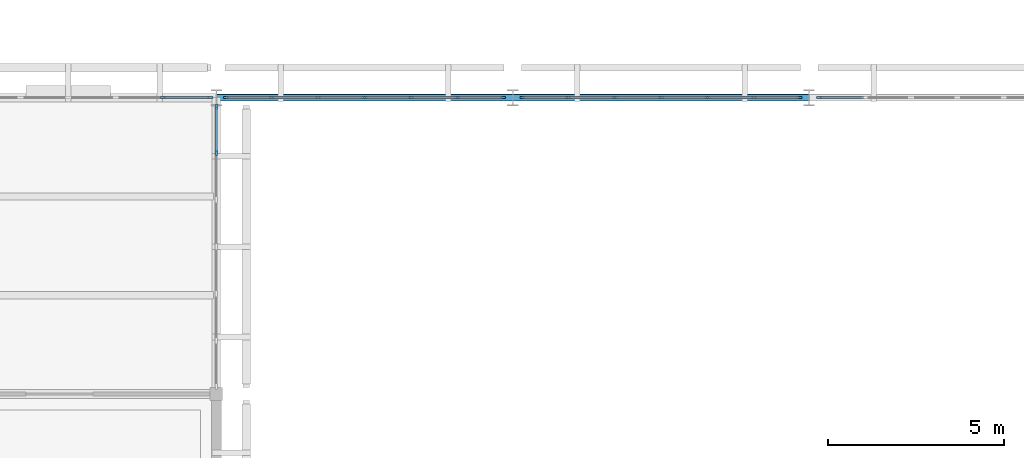
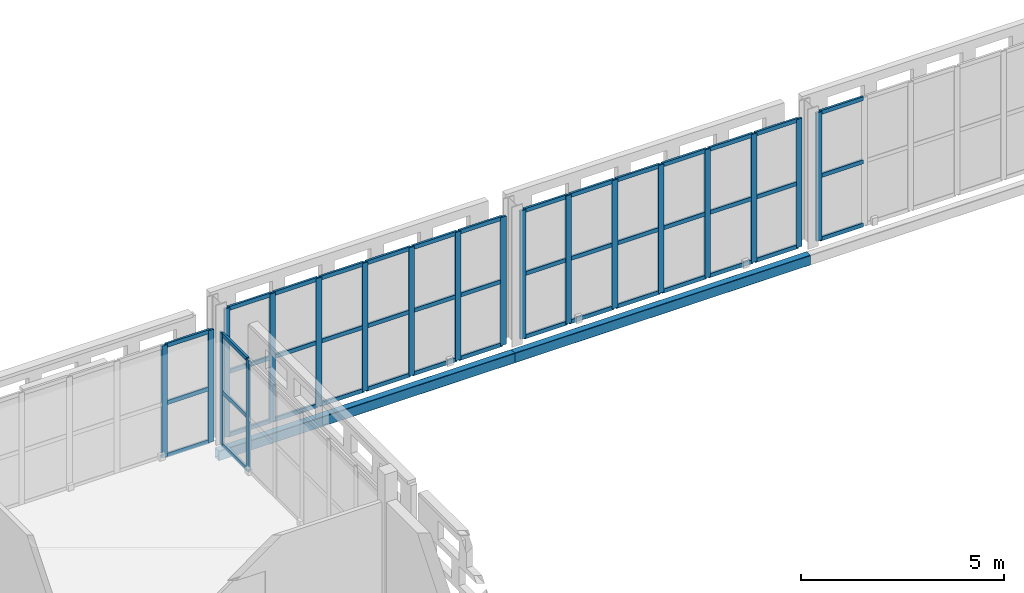
# One storey, part 59 of 140: 64 members, 2 beams, 5 elements without a shape of their own.
"""IFC4 building model written with IfcOpenShell, lengths in metres."""

from ifc_helpers import new_model, si_unit, direction, frame, origin, origin_2d, place, context, subcontext, project, spatial, rectangle, hollow_rectangle, extrude, material, layer, layer_set, material_profile, profile_set, type_object, element, aggregate, save


model = new_model("IFC4")

# Units and contexts
model_context = context("Model", 3, precision=1e-05, world=origin(), true_north=direction((0.0, 1.0)))
body_context = subcontext(model_context, "Body", "Model", "MODEL_VIEW")
ifc_project = project(units=[si_unit("LENGTHUNIT", "METRE"), si_unit("AREAUNIT", "SQUARE_METRE"), si_unit("VOLUMEUNIT", "CUBIC_METRE"), si_unit("PLANEANGLEUNIT", "RADIAN"), si_unit("MASSUNIT", "GRAM", prefix="KILO")], contexts=[model_context])

# Site, building, storey
site_placement = place(None, origin())
site = spatial("IfcSite", under=ifc_project, at=site_placement, CompositionType="ELEMENT")
building_placement = place(site_placement, origin())
building = spatial("IfcBuilding", under=site, at=building_placement, Name="Varnapada Polytechnic", CompositionType="ELEMENT")
storey_placement = place(building_placement, frame((0.0, 0.0, 13.800048828125)))
storey = spatial("IfcBuildingStorey", under=building, at=storey_placement, Name="L03", CompositionType="ELEMENT", Elevation=13.800048828125)

# Curtain wall, members
ifc_material_1 = material(Name="Double low-E laminated glass", Category="glass")
ifc_layer = layer(ifc_material_1, 0.159912109375)
ifc_layer_set = layer_set([ifc_layer], Name="Double low-E laminated glass")
curtain_wall_type = type_object("IfcCurtainWallType", Name="Curtain Wall CW-02", PredefinedType="NOTDEFINED", material=ifc_layer_set)
curtain_wall_1_placement = place(storey_placement, origin())
curtain_wall_1 = element("IfcCurtainWall", 1, at=curtain_wall_1_placement, inside=storey, type_object=curtain_wall_type, Name="L03 unitised curtain wall CW-02 (232)", PredefinedType="NOTDEFINED")
ifc_material_2 = material(Name="Anodised aluminium", Category="aluminium")
ifc_material_profile_1 = material_profile(ifc_material_2, rectangle(XDim=0.06005859375, YDim=0.159912109375, at=origin_2d()), Name="ALU M60x160")
ifc_profile_set_1 = profile_set([ifc_material_profile_1], Name="Anodised aluminium")
member_type_1 = type_object("IfcMemberType", Name="Mullion M-01", PredefinedType="MULLION", material=ifc_profile_set_1)
member_1_placement = place(storey_placement, frame((65.699951171875, 126.0, 0.0), z_axis=(0.0, 0.0, 1.0), x_axis=(0.0, 1.0, 0.0)))
member_1 = element("IfcMember", 2, at=member_1_placement, type_object=member_type_1, Name="CW-02 mullion 6", PredefinedType="MULLION", context=body_context, shape_type="SweptSolid", body=[
    extrude(rectangle(XDim=0.06005859375, YDim=0.159912109375, at=origin_2d()), origin(), (0.0, 0.0, 1.0), 3.35986328125),
])
member_2_placement = place(storey_placement, frame((67.02001953125, 126.0, 0.0), z_axis=(0.0, 0.0, 1.0), x_axis=(0.0, 1.0, 0.0)))
member_2 = element("IfcMember", 3, at=member_2_placement, type_object=member_type_1, Name="CW-02 mullion 7", PredefinedType="MULLION", context=body_context, shape_type="SweptSolid", body=[
    extrude(rectangle(XDim=0.06005859375, YDim=0.159912109375, at=origin_2d()), origin(), (0.0, 0.0, 1.0), 3.35986328125),
])

curtain_wall_2_placement = place(storey_placement, origin())
curtain_wall_2 = element("IfcCurtainWall", 4, at=curtain_wall_2_placement, inside=storey, type_object=curtain_wall_type, Name="L03 unitised curtain wall CW-02 (233)", PredefinedType="NOTDEFINED")
member_3_placement = place(storey_placement, frame((67.199951171875, 125.7451171875, 0.0), z_axis=(0.0, 0.0, 1.0), x_axis=(1.0, 0.0, 0.0)))
member_3 = element("IfcMember", 5, at=member_3_placement, type_object=member_type_1, Name="CW-02 mullion 1", PredefinedType="MULLION", context=body_context, shape_type="SweptSolid", body=[
    extrude(rectangle(XDim=0.06005859375, YDim=0.159912109375, at=origin_2d()), origin(), (0.0, 0.0, 1.0), 3.35986328125),
])
member_4_placement = place(storey_placement, frame((67.199951171875, 124.4423828125, 0.0), z_axis=(0.0, 0.0, 1.0), x_axis=(1.0, 0.0, 0.0)))
member_4 = element("IfcMember", 6, at=member_4_placement, type_object=member_type_1, Name="CW-02 mullion 2", PredefinedType="MULLION", context=body_context, shape_type="SweptSolid", body=[
    extrude(rectangle(XDim=0.06005859375, YDim=0.159912109375, at=origin_2d()), origin(), (0.0, 0.0, 1.0), 3.35986328125),
])

curtain_wall_3_placement = place(storey_placement, origin())
curtain_wall_3 = element("IfcCurtainWall", 7, at=curtain_wall_3_placement, inside=storey, type_object=curtain_wall_type, Name="L03 high-bay workshop north curtain wall 9", PredefinedType="NOTDEFINED")
member_5_placement = place(storey_placement, frame((67.47998046875, 126.0, 0.0), z_axis=(0.0, 0.0, 1.0), x_axis=(0.0, 1.0, 0.0)))
member_5 = element("IfcMember", 8, at=member_5_placement, type_object=member_type_1, Name="CW-02 mullion 1", PredefinedType="MULLION", context=body_context, shape_type="SweptSolid", body=[
    extrude(rectangle(XDim=0.06005859375, YDim=0.159912109375, at=origin_2d()), origin(), (0.0, 0.0, 1.0), 3.849853515625),
])
member_6_placement = place(storey_placement, frame((68.7666015625, 126.0, 0.0), z_axis=(0.0, 0.0, 1.0), x_axis=(0.0, 1.0, 0.0)))
member_6 = element("IfcMember", 9, at=member_6_placement, type_object=member_type_1, Name="CW-02 mullion 2", PredefinedType="MULLION", context=body_context, shape_type="SweptSolid", body=[
    extrude(rectangle(XDim=0.06005859375, YDim=0.159912109375, at=origin_2d()), origin(), (0.0, 0.0, 1.0), 3.849853515625),
])
member_7_placement = place(storey_placement, frame((70.083251953125, 126.0, 0.0), z_axis=(0.0, 0.0, 1.0), x_axis=(0.0, 1.0, 0.0)))
member_7 = element("IfcMember", 10, at=member_7_placement, type_object=member_type_1, Name="CW-02 mullion 3", PredefinedType="MULLION", context=body_context, shape_type="SweptSolid", body=[
    extrude(rectangle(XDim=0.06005859375, YDim=0.159912109375, at=origin_2d()), origin(), (0.0, 0.0, 1.0), 3.849853515625),
])
member_8_placement = place(storey_placement, frame((71.39990234375, 126.0, 0.0), z_axis=(0.0, 0.0, 1.0), x_axis=(0.0, 1.0, 0.0)))
member_8 = element("IfcMember", 11, at=member_8_placement, type_object=member_type_1, Name="CW-02 mullion 4", PredefinedType="MULLION", context=body_context, shape_type="SweptSolid", body=[
    extrude(rectangle(XDim=0.06005859375, YDim=0.159912109375, at=origin_2d()), origin(), (0.0, 0.0, 1.0), 3.849853515625),
])
member_9_placement = place(storey_placement, frame((72.716552734375, 126.0, 0.0), z_axis=(0.0, 0.0, 1.0), x_axis=(0.0, 1.0, 0.0)))
member_9 = element("IfcMember", 12, at=member_9_placement, type_object=member_type_1, Name="CW-02 mullion 5", PredefinedType="MULLION", context=body_context, shape_type="SweptSolid", body=[
    extrude(rectangle(XDim=0.06005859375, YDim=0.159912109375, at=origin_2d()), origin(), (0.0, 0.0, 1.0), 3.849853515625),
])
member_10_placement = place(storey_placement, frame((74.033447265625, 126.0, 0.0), z_axis=(0.0, 0.0, 1.0), x_axis=(0.0, 1.0, 0.0)))
member_10 = element("IfcMember", 13, at=member_10_placement, type_object=member_type_1, Name="CW-02 mullion 6", PredefinedType="MULLION", context=body_context, shape_type="SweptSolid", body=[
    extrude(rectangle(XDim=0.06005859375, YDim=0.159912109375, at=origin_2d()), origin(), (0.0, 0.0, 1.0), 3.849853515625),
])
member_11_placement = place(storey_placement, frame((75.320068359375, 126.0, 0.0), z_axis=(0.0, 0.0, 1.0), x_axis=(0.0, 1.0, 0.0)))
member_11 = element("IfcMember", 14, at=member_11_placement, type_object=member_type_1, Name="CW-02 mullion 7", PredefinedType="MULLION", context=body_context, shape_type="SweptSolid", body=[
    extrude(rectangle(XDim=0.06005859375, YDim=0.159912109375, at=origin_2d()), origin(), (0.0, 0.0, 1.0), 3.849853515625),
])

curtain_wall_4_placement = place(storey_placement, origin())
curtain_wall_4 = element("IfcCurtainWall", 15, at=curtain_wall_4_placement, inside=storey, type_object=curtain_wall_type, Name="L03 high-bay workshop north curtain wall 10", PredefinedType="NOTDEFINED")
member_12_placement = place(storey_placement, frame((75.8798828125, 126.0, 0.0), z_axis=(0.0, 0.0, 1.0), x_axis=(0.0, 1.0, 0.0)))
member_12 = element("IfcMember", 16, at=member_12_placement, type_object=member_type_1, Name="CW-02 mullion 1", PredefinedType="MULLION", context=body_context, shape_type="SweptSolid", body=[
    extrude(rectangle(XDim=0.06005859375, YDim=0.159912109375, at=origin_2d()), origin(), (0.0, 0.0, 1.0), 3.849853515625),
])
member_13_placement = place(storey_placement, frame((77.166748046875, 126.0, 0.0), z_axis=(0.0, 0.0, 1.0), x_axis=(0.0, 1.0, 0.0)))
member_13 = element("IfcMember", 17, at=member_13_placement, type_object=member_type_1, Name="CW-02 mullion 2", PredefinedType="MULLION", context=body_context, shape_type="SweptSolid", body=[
    extrude(rectangle(XDim=0.06005859375, YDim=0.159912109375, at=origin_2d()), origin(), (0.0, 0.0, 1.0), 3.849853515625),
])
member_14_placement = place(storey_placement, frame((78.4833984375, 126.0, 0.0), z_axis=(0.0, 0.0, 1.0), x_axis=(0.0, 1.0, 0.0)))
member_14 = element("IfcMember", 18, at=member_14_placement, type_object=member_type_1, Name="CW-02 mullion 3", PredefinedType="MULLION", context=body_context, shape_type="SweptSolid", body=[
    extrude(rectangle(XDim=0.06005859375, YDim=0.159912109375, at=origin_2d()), origin(), (0.0, 0.0, 1.0), 3.849853515625),
])
member_15_placement = place(storey_placement, frame((79.800048828125, 126.0, 0.0), z_axis=(0.0, 0.0, 1.0), x_axis=(0.0, 1.0, 0.0)))
member_15 = element("IfcMember", 19, at=member_15_placement, type_object=member_type_1, Name="CW-02 mullion 4", PredefinedType="MULLION", context=body_context, shape_type="SweptSolid", body=[
    extrude(rectangle(XDim=0.06005859375, YDim=0.159912109375, at=origin_2d()), origin(), (0.0, 0.0, 1.0), 3.849853515625),
])
member_16_placement = place(storey_placement, frame((81.11669921875, 126.0, 0.0), z_axis=(0.0, 0.0, 1.0), x_axis=(0.0, 1.0, 0.0)))
member_16 = element("IfcMember", 20, at=member_16_placement, type_object=member_type_1, Name="CW-02 mullion 5", PredefinedType="MULLION", context=body_context, shape_type="SweptSolid", body=[
    extrude(rectangle(XDim=0.06005859375, YDim=0.159912109375, at=origin_2d()), origin(), (0.0, 0.0, 1.0), 3.849853515625),
])
member_17_placement = place(storey_placement, frame((82.433349609375, 126.0, 0.0), z_axis=(0.0, 0.0, 1.0), x_axis=(0.0, 1.0, 0.0)))
member_17 = element("IfcMember", 21, at=member_17_placement, type_object=member_type_1, Name="CW-02 mullion 6", PredefinedType="MULLION", context=body_context, shape_type="SweptSolid", body=[
    extrude(rectangle(XDim=0.06005859375, YDim=0.159912109375, at=origin_2d()), origin(), (0.0, 0.0, 1.0), 3.849853515625),
])
member_18_placement = place(storey_placement, frame((83.719970703125, 126.0, 0.0), z_axis=(0.0, 0.0, 1.0), x_axis=(0.0, 1.0, 0.0)))
member_18 = element("IfcMember", 22, at=member_18_placement, type_object=member_type_1, Name="CW-02 mullion 7", PredefinedType="MULLION", context=body_context, shape_type="SweptSolid", body=[
    extrude(rectangle(XDim=0.06005859375, YDim=0.159912109375, at=origin_2d()), origin(), (0.0, 0.0, 1.0), 3.849853515625),
])

# Curtain wall, member
curtain_wall_5_placement = place(storey_placement, origin())
curtain_wall_5 = element("IfcCurtainWall", 23, at=curtain_wall_5_placement, inside=storey, type_object=curtain_wall_type, Name="L03 high-bay workshop north curtain wall 11", PredefinedType="NOTDEFINED")
member_19_placement = place(storey_placement, frame((84.280029296875, 126.0, 0.0), z_axis=(0.0, 0.0, 1.0), x_axis=(0.0, 1.0, 0.0)))
member_19 = element("IfcMember", 24, at=member_19_placement, type_object=member_type_1, Name="CW-02 mullion 1", PredefinedType="MULLION", context=body_context, shape_type="SweptSolid", body=[
    extrude(rectangle(XDim=0.06005859375, YDim=0.159912109375, at=origin_2d()), origin(), (0.0, 0.0, 1.0), 3.849853515625),
])

# Member
ifc_material_profile_2 = material_profile(ifc_material_2, rectangle(XDim=0.06005859375, YDim=0.1201171875, at=origin_2d()), Name="ALU T60x120")
ifc_profile_set_2 = profile_set([ifc_material_profile_2], Name="Anodised aluminium")
member_type_2 = type_object("IfcMemberType", Name="Transom T-01", PredefinedType="USERDEFINED", material=ifc_profile_set_2)
member_20_placement = place(storey_placement, frame((65.72998046875, 126.0, 0.030029296875), z_axis=(1.0, 0.0, 0.0), x_axis=(0.0, 1.0, 0.0)))
member_20 = element("IfcMember", 25, at=member_20_placement, type_object=member_type_2, Name="CW-02 transom 6.1", ObjectType="TRANSOM", PredefinedType="USERDEFINED", context=body_context, shape_type="SweptSolid", body=[
    extrude(rectangle(XDim=0.06005859375, YDim=0.1201171875, at=origin_2d()), origin(), (0.0, 0.0, 1.0), 1.260009765625),
])

member_21_placement = place(storey_placement, frame((65.72998046875, 126.0, 1.61279296875), z_axis=(1.0, 0.0, 0.0), x_axis=(0.0, 1.0, 0.0)))
member_21 = element("IfcMember", 26, at=member_21_placement, type_object=member_type_2, Name="CW-02 transom 6.2", ObjectType="TRANSOM", PredefinedType="USERDEFINED", context=body_context, shape_type="SweptSolid", body=[
    extrude(rectangle(XDim=0.06005859375, YDim=0.1201171875, at=origin_2d()), origin(), (0.0, 0.0, 1.0), 1.260009765625),
])

member_22_placement = place(storey_placement, frame((65.72998046875, 126.0, 3.329833984375), z_axis=(1.0, 0.0, 0.0), x_axis=(0.0, 1.0, 0.0)))
member_22 = element("IfcMember", 27, at=member_22_placement, type_object=member_type_2, Name="CW-02 transom 6.3", ObjectType="TRANSOM", PredefinedType="USERDEFINED", context=body_context, shape_type="SweptSolid", body=[
    extrude(rectangle(XDim=0.06005859375, YDim=0.1201171875, at=origin_2d()), origin(), (0.0, 0.0, 1.0), 1.260009765625),
])

aggregate(curtain_wall_1, [member_1, member_2, member_20, member_21, member_22])

member_23_placement = place(storey_placement, frame((67.199951171875, 125.715087890625, 0.030029296875), z_axis=(0.0, -1.0, 0.0), x_axis=(1.0, 0.0, 0.0)))
member_23 = element("IfcMember", 28, at=member_23_placement, type_object=member_type_2, Name="CW-02 transom 1.1", ObjectType="TRANSOM", PredefinedType="USERDEFINED", context=body_context, shape_type="SweptSolid", body=[
    extrude(rectangle(XDim=0.06005859375, YDim=0.1201171875, at=origin_2d()), origin(), (0.0, 0.0, 1.0), 1.24267578125),
])

member_24_placement = place(storey_placement, frame((67.199951171875, 125.715087890625, 1.61279296875), z_axis=(0.0, -1.0, 0.0), x_axis=(1.0, 0.0, 0.0)))
member_24 = element("IfcMember", 29, at=member_24_placement, type_object=member_type_2, Name="CW-02 transom 1.2", ObjectType="TRANSOM", PredefinedType="USERDEFINED", context=body_context, shape_type="SweptSolid", body=[
    extrude(rectangle(XDim=0.06005859375, YDim=0.1201171875, at=origin_2d()), origin(), (0.0, 0.0, 1.0), 1.24267578125),
])

member_25_placement = place(storey_placement, frame((67.199951171875, 125.715087890625, 3.329833984375), z_axis=(0.0, -1.0, 0.0), x_axis=(1.0, 0.0, 0.0)))
member_25 = element("IfcMember", 30, at=member_25_placement, type_object=member_type_2, Name="CW-02 transom 1.3", ObjectType="TRANSOM", PredefinedType="USERDEFINED", context=body_context, shape_type="SweptSolid", body=[
    extrude(rectangle(XDim=0.06005859375, YDim=0.1201171875, at=origin_2d()), origin(), (0.0, 0.0, 1.0), 1.24267578125),
])

aggregate(curtain_wall_2, [member_3, member_4, member_23, member_24, member_25])

member_26_placement = place(storey_placement, frame((67.510009765625, 126.0, 0.030029296875), z_axis=(1.0, 0.0, 0.0), x_axis=(0.0, 1.0, 0.0)))
member_26 = element("IfcMember", 31, at=member_26_placement, type_object=member_type_2, Name="CW-02 transom 1.1", ObjectType="TRANSOM", PredefinedType="USERDEFINED", context=body_context, shape_type="SweptSolid", body=[
    extrude(rectangle(XDim=0.06005859375, YDim=0.1201171875, at=origin_2d()), origin(), (0.0, 0.0, 1.0), 1.2265625),
])

member_27_placement = place(storey_placement, frame((67.510009765625, 126.0, 1.925048828125), z_axis=(1.0, 0.0, 0.0), x_axis=(0.0, 1.0, 0.0)))
member_27 = element("IfcMember", 32, at=member_27_placement, type_object=member_type_2, Name="CW-02 transom 1.2", ObjectType="TRANSOM", PredefinedType="USERDEFINED", context=body_context, shape_type="SweptSolid", body=[
    extrude(rectangle(XDim=0.06005859375, YDim=0.1201171875, at=origin_2d()), origin(), (0.0, 0.0, 1.0), 1.2265625),
])

member_28_placement = place(storey_placement, frame((67.510009765625, 126.0, 3.820068359375), z_axis=(1.0, 0.0, 0.0), x_axis=(0.0, 1.0, 0.0)))
member_28 = element("IfcMember", 33, at=member_28_placement, type_object=member_type_2, Name="CW-02 transom 1.3", ObjectType="TRANSOM", PredefinedType="USERDEFINED", context=body_context, shape_type="SweptSolid", body=[
    extrude(rectangle(XDim=0.06005859375, YDim=0.1201171875, at=origin_2d()), origin(), (0.0, 0.0, 1.0), 1.2265625),
])

member_29_placement = place(storey_placement, frame((68.796630859375, 126.0, 0.030029296875), z_axis=(1.0, 0.0, 0.0), x_axis=(0.0, 1.0, 0.0)))
member_29 = element("IfcMember", 34, at=member_29_placement, type_object=member_type_2, Name="CW-02 transom 2.1", ObjectType="TRANSOM", PredefinedType="USERDEFINED", context=body_context, shape_type="SweptSolid", body=[
    extrude(rectangle(XDim=0.06005859375, YDim=0.1201171875, at=origin_2d()), origin(), (0.0, 0.0, 1.0), 1.256591796875),
])

member_30_placement = place(storey_placement, frame((68.796630859375, 126.0, 1.925048828125), z_axis=(1.0, 0.0, 0.0), x_axis=(0.0, 1.0, 0.0)))
member_30 = element("IfcMember", 35, at=member_30_placement, type_object=member_type_2, Name="CW-02 transom 2.2", ObjectType="TRANSOM", PredefinedType="USERDEFINED", context=body_context, shape_type="SweptSolid", body=[
    extrude(rectangle(XDim=0.06005859375, YDim=0.1201171875, at=origin_2d()), origin(), (0.0, 0.0, 1.0), 1.256591796875),
])

member_31_placement = place(storey_placement, frame((68.796630859375, 126.0, 3.820068359375), z_axis=(1.0, 0.0, 0.0), x_axis=(0.0, 1.0, 0.0)))
member_31 = element("IfcMember", 36, at=member_31_placement, type_object=member_type_2, Name="CW-02 transom 2.3", ObjectType="TRANSOM", PredefinedType="USERDEFINED", context=body_context, shape_type="SweptSolid", body=[
    extrude(rectangle(XDim=0.06005859375, YDim=0.1201171875, at=origin_2d()), origin(), (0.0, 0.0, 1.0), 1.256591796875),
])

member_32_placement = place(storey_placement, frame((70.11328125, 126.0, 0.030029296875), z_axis=(1.0, 0.0, 0.0), x_axis=(0.0, 1.0, 0.0)))
member_32 = element("IfcMember", 37, at=member_32_placement, type_object=member_type_2, Name="CW-02 transom 3.1", ObjectType="TRANSOM", PredefinedType="USERDEFINED", context=body_context, shape_type="SweptSolid", body=[
    extrude(rectangle(XDim=0.06005859375, YDim=0.1201171875, at=origin_2d()), origin(), (0.0, 0.0, 1.0), 1.2568359375),
])

member_33_placement = place(storey_placement, frame((70.11328125, 126.0, 1.925048828125), z_axis=(1.0, 0.0, 0.0), x_axis=(0.0, 1.0, 0.0)))
member_33 = element("IfcMember", 38, at=member_33_placement, type_object=member_type_2, Name="CW-02 transom 3.2", ObjectType="TRANSOM", PredefinedType="USERDEFINED", context=body_context, shape_type="SweptSolid", body=[
    extrude(rectangle(XDim=0.06005859375, YDim=0.1201171875, at=origin_2d()), origin(), (0.0, 0.0, 1.0), 1.2568359375),
])

member_34_placement = place(storey_placement, frame((70.11328125, 126.0, 3.820068359375), z_axis=(1.0, 0.0, 0.0), x_axis=(0.0, 1.0, 0.0)))
member_34 = element("IfcMember", 39, at=member_34_placement, type_object=member_type_2, Name="CW-02 transom 3.3", ObjectType="TRANSOM", PredefinedType="USERDEFINED", context=body_context, shape_type="SweptSolid", body=[
    extrude(rectangle(XDim=0.06005859375, YDim=0.1201171875, at=origin_2d()), origin(), (0.0, 0.0, 1.0), 1.2568359375),
])

member_35_placement = place(storey_placement, frame((71.429931640625, 126.0, 0.030029296875), z_axis=(1.0, 0.0, 0.0), x_axis=(0.0, 1.0, 0.0)))
member_35 = element("IfcMember", 40, at=member_35_placement, type_object=member_type_2, Name="CW-02 transom 4.1", ObjectType="TRANSOM", PredefinedType="USERDEFINED", context=body_context, shape_type="SweptSolid", body=[
    extrude(rectangle(XDim=0.06005859375, YDim=0.1201171875, at=origin_2d()), origin(), (0.0, 0.0, 1.0), 1.2568359375),
])

member_36_placement = place(storey_placement, frame((71.429931640625, 126.0, 1.925048828125), z_axis=(1.0, 0.0, 0.0), x_axis=(0.0, 1.0, 0.0)))
member_36 = element("IfcMember", 41, at=member_36_placement, type_object=member_type_2, Name="CW-02 transom 4.2", ObjectType="TRANSOM", PredefinedType="USERDEFINED", context=body_context, shape_type="SweptSolid", body=[
    extrude(rectangle(XDim=0.06005859375, YDim=0.1201171875, at=origin_2d()), origin(), (0.0, 0.0, 1.0), 1.2568359375),
])

member_37_placement = place(storey_placement, frame((71.429931640625, 126.0, 3.820068359375), z_axis=(1.0, 0.0, 0.0), x_axis=(0.0, 1.0, 0.0)))
member_37 = element("IfcMember", 42, at=member_37_placement, type_object=member_type_2, Name="CW-02 transom 4.3", ObjectType="TRANSOM", PredefinedType="USERDEFINED", context=body_context, shape_type="SweptSolid", body=[
    extrude(rectangle(XDim=0.06005859375, YDim=0.1201171875, at=origin_2d()), origin(), (0.0, 0.0, 1.0), 1.2568359375),
])

member_38_placement = place(storey_placement, frame((72.74658203125, 126.0, 0.030029296875), z_axis=(1.0, 0.0, 0.0), x_axis=(0.0, 1.0, 0.0)))
member_38 = element("IfcMember", 43, at=member_38_placement, type_object=member_type_2, Name="CW-02 transom 5.1", ObjectType="TRANSOM", PredefinedType="USERDEFINED", context=body_context, shape_type="SweptSolid", body=[
    extrude(rectangle(XDim=0.06005859375, YDim=0.1201171875, at=origin_2d()), origin(), (0.0, 0.0, 1.0), 1.2568359375),
])

member_39_placement = place(storey_placement, frame((72.74658203125, 126.0, 1.925048828125), z_axis=(1.0, 0.0, 0.0), x_axis=(0.0, 1.0, 0.0)))
member_39 = element("IfcMember", 44, at=member_39_placement, type_object=member_type_2, Name="CW-02 transom 5.2", ObjectType="TRANSOM", PredefinedType="USERDEFINED", context=body_context, shape_type="SweptSolid", body=[
    extrude(rectangle(XDim=0.06005859375, YDim=0.1201171875, at=origin_2d()), origin(), (0.0, 0.0, 1.0), 1.2568359375),
])

member_40_placement = place(storey_placement, frame((72.74658203125, 126.0, 3.820068359375), z_axis=(1.0, 0.0, 0.0), x_axis=(0.0, 1.0, 0.0)))
member_40 = element("IfcMember", 45, at=member_40_placement, type_object=member_type_2, Name="CW-02 transom 5.3", ObjectType="TRANSOM", PredefinedType="USERDEFINED", context=body_context, shape_type="SweptSolid", body=[
    extrude(rectangle(XDim=0.06005859375, YDim=0.1201171875, at=origin_2d()), origin(), (0.0, 0.0, 1.0), 1.2568359375),
])

member_41_placement = place(storey_placement, frame((74.063232421875, 126.0, 0.030029296875), z_axis=(1.0, 0.0, 0.0), x_axis=(0.0, 1.0, 0.0)))
member_41 = element("IfcMember", 46, at=member_41_placement, type_object=member_type_2, Name="CW-02 transom 6.1", ObjectType="TRANSOM", PredefinedType="USERDEFINED", context=body_context, shape_type="SweptSolid", body=[
    extrude(rectangle(XDim=0.06005859375, YDim=0.1201171875, at=origin_2d()), origin(), (0.0, 0.0, 1.0), 1.226806640625),
])

member_42_placement = place(storey_placement, frame((74.063232421875, 126.0, 1.925048828125), z_axis=(1.0, 0.0, 0.0), x_axis=(0.0, 1.0, 0.0)))
member_42 = element("IfcMember", 47, at=member_42_placement, type_object=member_type_2, Name="CW-02 transom 6.2", ObjectType="TRANSOM", PredefinedType="USERDEFINED", context=body_context, shape_type="SweptSolid", body=[
    extrude(rectangle(XDim=0.06005859375, YDim=0.1201171875, at=origin_2d()), origin(), (0.0, 0.0, 1.0), 1.226806640625),
])

member_43_placement = place(storey_placement, frame((74.063232421875, 126.0, 3.820068359375), z_axis=(1.0, 0.0, 0.0), x_axis=(0.0, 1.0, 0.0)))
member_43 = element("IfcMember", 48, at=member_43_placement, type_object=member_type_2, Name="CW-02 transom 6.3", ObjectType="TRANSOM", PredefinedType="USERDEFINED", context=body_context, shape_type="SweptSolid", body=[
    extrude(rectangle(XDim=0.06005859375, YDim=0.1201171875, at=origin_2d()), origin(), (0.0, 0.0, 1.0), 1.226806640625),
])

aggregate(curtain_wall_3, [member_5, member_6, member_7, member_8, member_9, member_10, member_11, member_26, member_27, member_28, member_29, member_30, member_31, member_32, member_33, member_34, member_35, member_36, member_37, member_38, member_39, member_40, member_41, member_42, member_43])

member_44_placement = place(storey_placement, frame((75.909912109375, 126.0, 0.030029296875), z_axis=(1.0, 0.0, 0.0), x_axis=(0.0, 1.0, 0.0)))
member_44 = element("IfcMember", 49, at=member_44_placement, type_object=member_type_2, Name="CW-02 transom 1.1", ObjectType="TRANSOM", PredefinedType="USERDEFINED", context=body_context, shape_type="SweptSolid", body=[
    extrude(rectangle(XDim=0.06005859375, YDim=0.1201171875, at=origin_2d()), origin(), (0.0, 0.0, 1.0), 1.226806640625),
])

member_45_placement = place(storey_placement, frame((75.909912109375, 126.0, 1.925048828125), z_axis=(1.0, 0.0, 0.0), x_axis=(0.0, 1.0, 0.0)))
member_45 = element("IfcMember", 50, at=member_45_placement, type_object=member_type_2, Name="CW-02 transom 1.2", ObjectType="TRANSOM", PredefinedType="USERDEFINED", context=body_context, shape_type="SweptSolid", body=[
    extrude(rectangle(XDim=0.06005859375, YDim=0.1201171875, at=origin_2d()), origin(), (0.0, 0.0, 1.0), 1.226806640625),
])

member_46_placement = place(storey_placement, frame((75.909912109375, 126.0, 3.820068359375), z_axis=(1.0, 0.0, 0.0), x_axis=(0.0, 1.0, 0.0)))
member_46 = element("IfcMember", 51, at=member_46_placement, type_object=member_type_2, Name="CW-02 transom 1.3", ObjectType="TRANSOM", PredefinedType="USERDEFINED", context=body_context, shape_type="SweptSolid", body=[
    extrude(rectangle(XDim=0.06005859375, YDim=0.1201171875, at=origin_2d()), origin(), (0.0, 0.0, 1.0), 1.226806640625),
])

member_47_placement = place(storey_placement, frame((77.19677734375, 126.0, 0.030029296875), z_axis=(1.0, 0.0, 0.0), x_axis=(0.0, 1.0, 0.0)))
member_47 = element("IfcMember", 52, at=member_47_placement, type_object=member_type_2, Name="CW-02 transom 2.1", ObjectType="TRANSOM", PredefinedType="USERDEFINED", context=body_context, shape_type="SweptSolid", body=[
    extrude(rectangle(XDim=0.06005859375, YDim=0.1201171875, at=origin_2d()), origin(), (0.0, 0.0, 1.0), 1.256591796875),
])

member_48_placement = place(storey_placement, frame((77.19677734375, 126.0, 1.925048828125), z_axis=(1.0, 0.0, 0.0), x_axis=(0.0, 1.0, 0.0)))
member_48 = element("IfcMember", 53, at=member_48_placement, type_object=member_type_2, Name="CW-02 transom 2.2", ObjectType="TRANSOM", PredefinedType="USERDEFINED", context=body_context, shape_type="SweptSolid", body=[
    extrude(rectangle(XDim=0.06005859375, YDim=0.1201171875, at=origin_2d()), origin(), (0.0, 0.0, 1.0), 1.256591796875),
])

member_49_placement = place(storey_placement, frame((77.19677734375, 126.0, 3.820068359375), z_axis=(1.0, 0.0, 0.0), x_axis=(0.0, 1.0, 0.0)))
member_49 = element("IfcMember", 54, at=member_49_placement, type_object=member_type_2, Name="CW-02 transom 2.3", ObjectType="TRANSOM", PredefinedType="USERDEFINED", context=body_context, shape_type="SweptSolid", body=[
    extrude(rectangle(XDim=0.06005859375, YDim=0.1201171875, at=origin_2d()), origin(), (0.0, 0.0, 1.0), 1.256591796875),
])

member_50_placement = place(storey_placement, frame((78.513427734375, 126.0, 0.030029296875), z_axis=(1.0, 0.0, 0.0), x_axis=(0.0, 1.0, 0.0)))
member_50 = element("IfcMember", 55, at=member_50_placement, type_object=member_type_2, Name="CW-02 transom 3.1", ObjectType="TRANSOM", PredefinedType="USERDEFINED", context=body_context, shape_type="SweptSolid", body=[
    extrude(rectangle(XDim=0.06005859375, YDim=0.1201171875, at=origin_2d()), origin(), (0.0, 0.0, 1.0), 1.256591796875),
])

member_51_placement = place(storey_placement, frame((78.513427734375, 126.0, 1.925048828125), z_axis=(1.0, 0.0, 0.0), x_axis=(0.0, 1.0, 0.0)))
member_51 = element("IfcMember", 56, at=member_51_placement, type_object=member_type_2, Name="CW-02 transom 3.2", ObjectType="TRANSOM", PredefinedType="USERDEFINED", context=body_context, shape_type="SweptSolid", body=[
    extrude(rectangle(XDim=0.06005859375, YDim=0.1201171875, at=origin_2d()), origin(), (0.0, 0.0, 1.0), 1.256591796875),
])

member_52_placement = place(storey_placement, frame((78.513427734375, 126.0, 3.820068359375), z_axis=(1.0, 0.0, 0.0), x_axis=(0.0, 1.0, 0.0)))
member_52 = element("IfcMember", 57, at=member_52_placement, type_object=member_type_2, Name="CW-02 transom 3.3", ObjectType="TRANSOM", PredefinedType="USERDEFINED", context=body_context, shape_type="SweptSolid", body=[
    extrude(rectangle(XDim=0.06005859375, YDim=0.1201171875, at=origin_2d()), origin(), (0.0, 0.0, 1.0), 1.256591796875),
])

member_53_placement = place(storey_placement, frame((79.830078125, 126.0, 0.030029296875), z_axis=(1.0, 0.0, 0.0), x_axis=(0.0, 1.0, 0.0)))
member_53 = element("IfcMember", 58, at=member_53_placement, type_object=member_type_2, Name="CW-02 transom 4.1", ObjectType="TRANSOM", PredefinedType="USERDEFINED", context=body_context, shape_type="SweptSolid", body=[
    extrude(rectangle(XDim=0.06005859375, YDim=0.1201171875, at=origin_2d()), origin(), (0.0, 0.0, 1.0), 1.256591796875),
])

member_54_placement = place(storey_placement, frame((79.830078125, 126.0, 1.925048828125), z_axis=(1.0, 0.0, 0.0), x_axis=(0.0, 1.0, 0.0)))
member_54 = element("IfcMember", 59, at=member_54_placement, type_object=member_type_2, Name="CW-02 transom 4.2", ObjectType="TRANSOM", PredefinedType="USERDEFINED", context=body_context, shape_type="SweptSolid", body=[
    extrude(rectangle(XDim=0.06005859375, YDim=0.1201171875, at=origin_2d()), origin(), (0.0, 0.0, 1.0), 1.256591796875),
])

member_55_placement = place(storey_placement, frame((79.830078125, 126.0, 3.820068359375), z_axis=(1.0, 0.0, 0.0), x_axis=(0.0, 1.0, 0.0)))
member_55 = element("IfcMember", 60, at=member_55_placement, type_object=member_type_2, Name="CW-02 transom 4.3", ObjectType="TRANSOM", PredefinedType="USERDEFINED", context=body_context, shape_type="SweptSolid", body=[
    extrude(rectangle(XDim=0.06005859375, YDim=0.1201171875, at=origin_2d()), origin(), (0.0, 0.0, 1.0), 1.256591796875),
])

member_56_placement = place(storey_placement, frame((81.146728515625, 126.0, 0.030029296875), z_axis=(1.0, 0.0, 0.0), x_axis=(0.0, 1.0, 0.0)))
member_56 = element("IfcMember", 61, at=member_56_placement, type_object=member_type_2, Name="CW-02 transom 5.1", ObjectType="TRANSOM", PredefinedType="USERDEFINED", context=body_context, shape_type="SweptSolid", body=[
    extrude(rectangle(XDim=0.06005859375, YDim=0.1201171875, at=origin_2d()), origin(), (0.0, 0.0, 1.0), 1.256591796875),
])

member_57_placement = place(storey_placement, frame((81.146728515625, 126.0, 1.925048828125), z_axis=(1.0, 0.0, 0.0), x_axis=(0.0, 1.0, 0.0)))
member_57 = element("IfcMember", 62, at=member_57_placement, type_object=member_type_2, Name="CW-02 transom 5.2", ObjectType="TRANSOM", PredefinedType="USERDEFINED", context=body_context, shape_type="SweptSolid", body=[
    extrude(rectangle(XDim=0.06005859375, YDim=0.1201171875, at=origin_2d()), origin(), (0.0, 0.0, 1.0), 1.256591796875),
])

member_58_placement = place(storey_placement, frame((81.146728515625, 126.0, 3.820068359375), z_axis=(1.0, 0.0, 0.0), x_axis=(0.0, 1.0, 0.0)))
member_58 = element("IfcMember", 63, at=member_58_placement, type_object=member_type_2, Name="CW-02 transom 5.3", ObjectType="TRANSOM", PredefinedType="USERDEFINED", context=body_context, shape_type="SweptSolid", body=[
    extrude(rectangle(XDim=0.06005859375, YDim=0.1201171875, at=origin_2d()), origin(), (0.0, 0.0, 1.0), 1.256591796875),
])

member_59_placement = place(storey_placement, frame((82.46337890625, 126.0, 0.030029296875), z_axis=(1.0, 0.0, 0.0), x_axis=(0.0, 1.0, 0.0)))
member_59 = element("IfcMember", 64, at=member_59_placement, type_object=member_type_2, Name="CW-02 transom 6.1", ObjectType="TRANSOM", PredefinedType="USERDEFINED", context=body_context, shape_type="SweptSolid", body=[
    extrude(rectangle(XDim=0.06005859375, YDim=0.1201171875, at=origin_2d()), origin(), (0.0, 0.0, 1.0), 1.2265625),
])

member_60_placement = place(storey_placement, frame((82.46337890625, 126.0, 1.925048828125), z_axis=(1.0, 0.0, 0.0), x_axis=(0.0, 1.0, 0.0)))
member_60 = element("IfcMember", 65, at=member_60_placement, type_object=member_type_2, Name="CW-02 transom 6.2", ObjectType="TRANSOM", PredefinedType="USERDEFINED", context=body_context, shape_type="SweptSolid", body=[
    extrude(rectangle(XDim=0.06005859375, YDim=0.1201171875, at=origin_2d()), origin(), (0.0, 0.0, 1.0), 1.2265625),
])

member_61_placement = place(storey_placement, frame((82.46337890625, 126.0, 3.820068359375), z_axis=(1.0, 0.0, 0.0), x_axis=(0.0, 1.0, 0.0)))
member_61 = element("IfcMember", 66, at=member_61_placement, type_object=member_type_2, Name="CW-02 transom 6.3", ObjectType="TRANSOM", PredefinedType="USERDEFINED", context=body_context, shape_type="SweptSolid", body=[
    extrude(rectangle(XDim=0.06005859375, YDim=0.1201171875, at=origin_2d()), origin(), (0.0, 0.0, 1.0), 1.2265625),
])

aggregate(curtain_wall_4, [member_12, member_13, member_14, member_15, member_16, member_17, member_18, member_44, member_45, member_46, member_47, member_48, member_49, member_50, member_51, member_52, member_53, member_54, member_55, member_56, member_57, member_58, member_59, member_60, member_61])

member_62_placement = place(storey_placement, frame((84.31005859375, 126.0, 0.030029296875), z_axis=(1.0, 0.0, 0.0), x_axis=(0.0, 1.0, 0.0)))
member_62 = element("IfcMember", 67, at=member_62_placement, type_object=member_type_2, Name="CW-02 transom 1.1", ObjectType="TRANSOM", PredefinedType="USERDEFINED", context=body_context, shape_type="SweptSolid", body=[
    extrude(rectangle(XDim=0.06005859375, YDim=0.1201171875, at=origin_2d()), origin(), (0.0, 0.0, 1.0), 1.2265625),
])

member_63_placement = place(storey_placement, frame((84.31005859375, 126.0, 1.925048828125), z_axis=(1.0, 0.0, 0.0), x_axis=(0.0, 1.0, 0.0)))
member_63 = element("IfcMember", 68, at=member_63_placement, type_object=member_type_2, Name="CW-02 transom 1.2", ObjectType="TRANSOM", PredefinedType="USERDEFINED", context=body_context, shape_type="SweptSolid", body=[
    extrude(rectangle(XDim=0.06005859375, YDim=0.1201171875, at=origin_2d()), origin(), (0.0, 0.0, 1.0), 1.2265625),
])

member_64_placement = place(storey_placement, frame((84.31005859375, 126.0, 3.820068359375), z_axis=(1.0, 0.0, 0.0), x_axis=(0.0, 1.0, 0.0)))
member_64 = element("IfcMember", 69, at=member_64_placement, type_object=member_type_2, Name="CW-02 transom 1.3", ObjectType="TRANSOM", PredefinedType="USERDEFINED", context=body_context, shape_type="SweptSolid", body=[
    extrude(rectangle(XDim=0.06005859375, YDim=0.1201171875, at=origin_2d()), origin(), (0.0, 0.0, 1.0), 1.2265625),
])

aggregate(curtain_wall_5, [member_19, member_62, member_63, member_64])

# Beams
ifc_material_3 = material(Name="Steel S355", Category="steel")
ifc_material_profile_3 = material_profile(ifc_material_3, hollow_rectangle(XDim=0.199951171875, YDim=0.300048828125, WallThickness=0.010009765625, InnerFilletRadius=0.010009765625, OuterFilletRadius=0.02001953125, at=origin_2d()), Name="RHS 300x200x10")
ifc_profile_set_3 = profile_set([ifc_material_profile_3], Name="Steel S355")
beam_type = type_object("IfcBeamType", Name="Workshop steel spandrel tie SP-03 (RHS 300x200x10)", PredefinedType="SPANDREL", material=ifc_profile_set_3)
beam_1_placement = place(storey_placement, frame((67.199951171875, 126.0, -0.449951171875), z_axis=(1.0, 0.0, 0.0), x_axis=(0.0, 1.0, 0.0)))
element("IfcBeam", 70, at=beam_1_placement, inside=storey, type_object=beam_type, Name="L03 workshop clerestory tie X9-10 Y16", PredefinedType="SPANDREL", context=body_context, shape_type="SweptSolid", body=[
    extrude(hollow_rectangle(XDim=0.199951171875, YDim=0.300048828125, WallThickness=0.010009765625, InnerFilletRadius=0.010009765625, OuterFilletRadius=0.02001953125, at=origin_2d()), origin(), (0.0, 0.0, 1.0), 8.400146484375),
])
beam_2_placement = place(storey_placement, frame((75.60009765625, 126.0, -0.449951171875), z_axis=(1.0, 0.0, 0.0), x_axis=(0.0, 1.0, 0.0)))
element("IfcBeam", 71, at=beam_2_placement, inside=storey, type_object=beam_type, Name="L03 workshop clerestory tie X10-11 Y16", PredefinedType="SPANDREL", context=body_context, shape_type="SweptSolid", body=[
    extrude(hollow_rectangle(XDim=0.199951171875, YDim=0.300048828125, WallThickness=0.010009765625, InnerFilletRadius=0.010009765625, OuterFilletRadius=0.02001953125, at=origin_2d()), origin(), (0.0, 0.0, 1.0), 8.39990234375),
])

save(model, "model.ifc")
